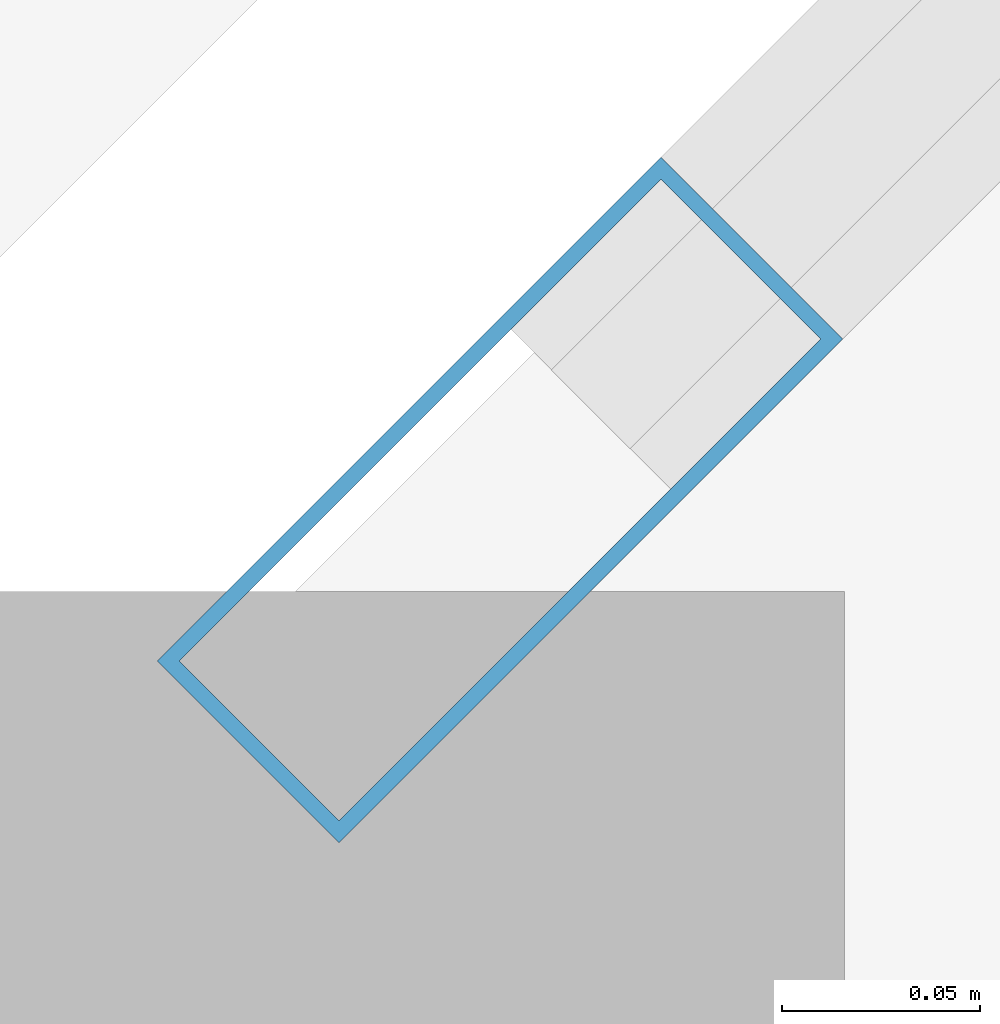
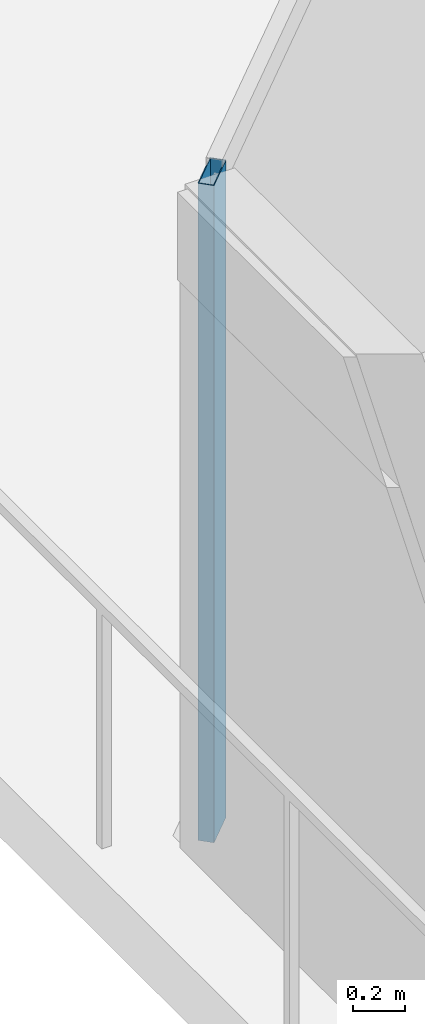
# One storey, part 5 of 30: 1 member, 1 element without a shape of its own.
"""IFC4 building model written with IfcOpenShell, lengths in metres."""

from ifc_helpers import new_model, si_unit, direction, frame, origin, origin_2d, place, context, subcontext, project, spatial, hollow_rectangle, extrude, material, layer, layer_set, material_profile, profile_set, type_object, element, aggregate, save


model = new_model("IFC4")

# Units and contexts
model_context = context("Model", 3, precision=1e-05, world=origin(), true_north=direction((0.0, 1.0)))
body_context = subcontext(model_context, "Body", "Model", "MODEL_VIEW")
ifc_project = project(units=[si_unit("LENGTHUNIT", "METRE"), si_unit("AREAUNIT", "SQUARE_METRE"), si_unit("VOLUMEUNIT", "CUBIC_METRE"), si_unit("PLANEANGLEUNIT", "RADIAN"), si_unit("MASSUNIT", "GRAM", prefix="KILO")], contexts=[model_context])

# Site, building, storey
site_placement = place(None, origin())
site = spatial("IfcSite", under=ifc_project, at=site_placement, CompositionType="ELEMENT")
building_placement = place(site_placement, origin())
building = spatial("IfcBuilding", under=site, at=building_placement, Name="Tanjung Sevakor Pilgrim Tower", CompositionType="ELEMENT")
storey_placement = place(building_placement, frame((0.0, 0.0, 229.35009765625)))
storey = spatial("IfcBuildingStorey", under=building, at=storey_placement, Name="L64", CompositionType="ELEMENT", Elevation=229.35009765625)

# Curtain wall, member
ifc_material_1 = material(Name="Aluminium 6063-T6 and Low-E Glass", Category="aluminium")
ifc_layer = layer(ifc_material_1, 0.179931640625)
ifc_layer_set = layer_set([ifc_layer], Name="CW-SYS-CHAM")
curtain_wall_type = type_object("IfcCurtainWallType", Name="CW-SYS-CHAM", PredefinedType="NOTDEFINED", material=ifc_layer_set)
curtain_wall_placement = place(storey_placement, origin())
curtain_wall = element("IfcCurtainWall", 1, at=curtain_wall_placement, inside=storey, type_object=curtain_wall_type, Name="L64 Curtain Wall CW-CHM-L64-WEST-5", PredefinedType="NOTDEFINED")
ifc_material_2 = material(Name="Aluminium 6063-T6", Category="aluminium")
ifc_material_profile = material_profile(ifc_material_2, hollow_rectangle(XDim=0.06494140625, YDim=0.179931640625, WallThickness=0.00390625, at=origin_2d()))
ifc_profile_set = profile_set([ifc_material_profile], Name="Aluminium 6063-T6")
member_type = type_object("IfcMemberType", Name="TYPE-CWM-1", PredefinedType="MULLION", material=ifc_profile_set)
member_placement = place(storey_placement, frame((22.133056640625, 43.577392578125, 0.0), z_axis=(0.0, 0.0, 1.0), x_axis=(0.707106781187, -0.707106781187, 0.0)))
member = element("IfcMember", 2, at=member_placement, type_object=member_type, Name="CW-CHM mullion 2", PredefinedType="MULLION", context=body_context, shape_type="SweptSolid", body=[
    extrude(hollow_rectangle(XDim=0.06494140625, YDim=0.179931640625, WallThickness=0.00390625, at=origin_2d()), origin(), (0.0, 0.0, 1.0), 3.079833984375),
])
aggregate(curtain_wall, [member])

save(model, "model.ifc")
